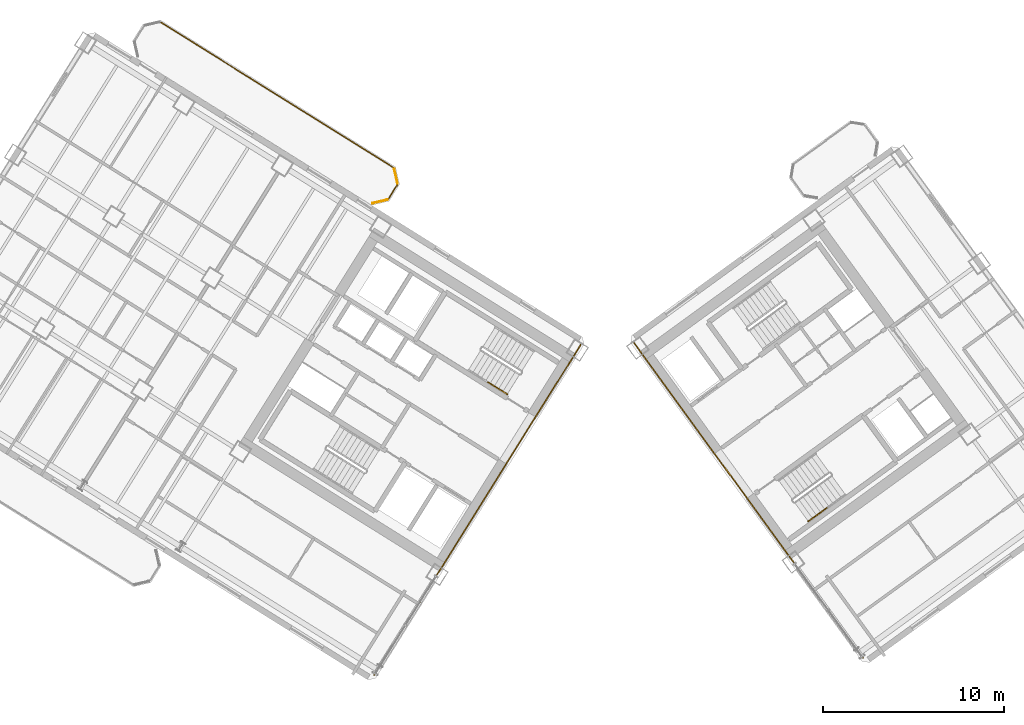
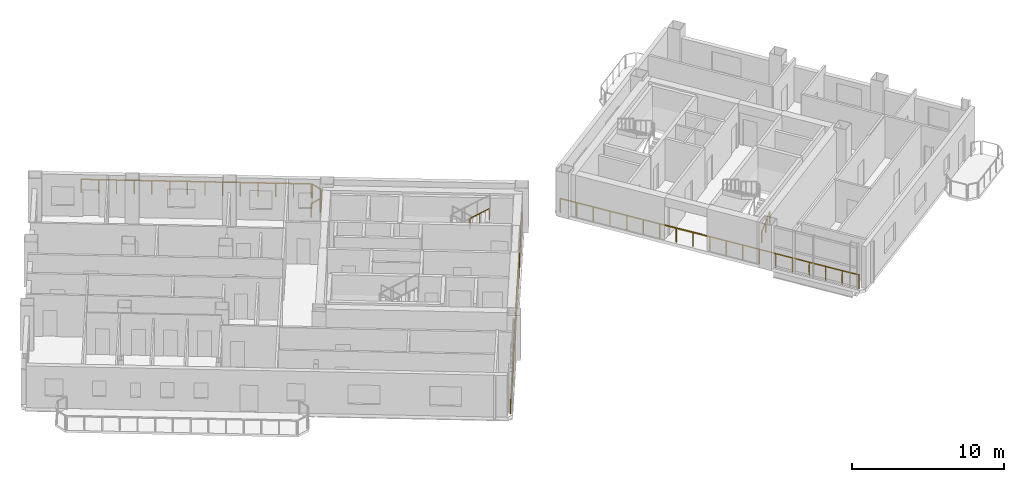
# One storey, part 16 of 18: 8 railings.
"""IFC4 building model written with IfcOpenShell, lengths in metres."""

from ifc_helpers import new_model, si_unit, direction, frame, origin, origin_2d, place, context, subcontext, project, spatial, rectangle, extrude, source, transform, mapped, material, type_object, element, save


model = new_model("IFC4")

# Units and contexts
model_context = context("Model", 3, precision=1e-05, world=origin(), true_north=direction((0.0, 1.0)))
body_context = subcontext(model_context, "Body", "Model", "MODEL_VIEW")
ifc_project = project(units=[si_unit("LENGTHUNIT", "METRE"), si_unit("AREAUNIT", "SQUARE_METRE"), si_unit("VOLUMEUNIT", "CUBIC_METRE"), si_unit("PLANEANGLEUNIT", "RADIAN"), si_unit("MASSUNIT", "GRAM", prefix="KILO")], contexts=[model_context])

# Site, building, storey
site_placement = place(None, origin())
site = spatial("IfcSite", under=ifc_project, at=site_placement, CompositionType="ELEMENT")
building_placement = place(site_placement, origin())
building = spatial("IfcBuilding", under=site, at=building_placement, Name="Tlacorven Tower", CompositionType="ELEMENT")
storey_placement = place(building_placement, frame((0.0, 0.0, 140.699951171875)))
storey = spatial("IfcBuildingStorey", under=building, at=storey_placement, Name="L35", CompositionType="ELEMENT", Elevation=140.699951171875)

# Railings
ifc_material = material(Name="Aluminium and painted steel balustrade", Category="steel")
railing_type_1 = type_object("IfcRailingType", Name="RL-BAL-1100", PredefinedType="BALUSTRADE", material=ifc_material)
shared_shape_1 = source(origin(), body_context, "Body", "SweptSolid", [
    extrude(rectangle(XDim=0.048095703125, YDim=0.048095703125, at=origin_2d()), frame((0.0, 0.0, 1.076171875), z_axis=(0.225058334816, -0.974345290916, 0.0), x_axis=(0.974345290916, 0.225058334816, 0.0)), (0.0, 0.0, 1.0), 0.80712890625),
    extrude(rectangle(XDim=0.0419921875, YDim=0.0419921875, at=origin_2d()), origin(), (0.0, 0.0, 1.0), 1.052001953125),
    extrude(rectangle(XDim=0.0419921875, YDim=0.0419921875, at=origin_2d()), frame((0.181640625, -0.786376953125, 0.0)), (0.0, 0.0, 1.0), 1.052001953125),
])
railing_1_placement = place(storey_placement, frame((30.6796875, 34.466064453125, 0.0)))
element("IfcRailing", 1, at=railing_1_placement, inside=storey, type_object=railing_type_1, Name="BAL-L35-W-IN Guard Railing 1", PredefinedType="BALUSTRADE", context=body_context, shape_type="MappedRepresentation", body=[
    mapped(shared_shape_1, transform((0.0, 0.0, 0.0), scale=1.0)),
])
shared_shape_2 = source(origin(), body_context, "Body", "SweptSolid", [
    extrude(rectangle(XDim=0.048095703125, YDim=0.048095703125, at=origin_2d()), frame((0.0, 0.0, 1.076171875), z_axis=(-0.52987865805, -0.848073468364, 0.0), x_axis=(0.848073468364, -0.52987865805, 0.0)), (0.0, 0.0, 1.0), 0.912353515625),
    extrude(rectangle(XDim=0.0419921875, YDim=0.0419921875, at=origin_2d()), origin(), (0.0, 0.0, 1.0), 1.052001953125),
    extrude(rectangle(XDim=0.0419921875, YDim=0.0419921875, at=origin_2d()), frame((-0.4833984375, -0.773681640625, 0.0)), (0.0, 0.0, 1.0), 1.052001953125),
])
railing_2_placement = place(storey_placement, frame((30.845947265625, 33.588623046875, 0.0)))
element("IfcRailing", 2, at=railing_2_placement, inside=storey, type_object=railing_type_1, Name="BAL-L35-W-IN Guard Railing 2", PredefinedType="BALUSTRADE", context=body_context, shape_type="MappedRepresentation", body=[
    mapped(shared_shape_2, transform((0.0, 0.0, 0.0), scale=1.0)),
])
shared_shape_3 = source(origin(), body_context, "Body", "SweptSolid", [
    extrude(rectangle(XDim=0.048095703125, YDim=0.048095703125, at=origin_2d()), frame((0.0, 0.0, 1.076171875), z_axis=(-0.974345290916, -0.225058334816, 0.0), x_axis=(0.225058334816, -0.974345290916, 0.0)), (0.0, 0.0, 1.0), 0.80712890625),
    extrude(rectangle(XDim=0.0419921875, YDim=0.0419921875, at=origin_2d()), origin(), (0.0, 0.0, 1.0), 1.052001953125),
    extrude(rectangle(XDim=0.0419921875, YDim=0.0419921875, at=origin_2d()), frame((-0.786376953125, -0.181640625, 0.0)), (0.0, 0.0, 1.0), 1.052001953125),
])
railing_3_placement = place(storey_placement, frame((30.287353515625, 32.761474609375, 0.0)))
element("IfcRailing", 3, at=railing_3_placement, inside=storey, type_object=railing_type_1, Name="BAL-L35-W-IN Guard Railing 3", PredefinedType="BALUSTRADE", context=body_context, shape_type="MappedRepresentation", body=[
    mapped(shared_shape_3, transform((0.0, 0.0, 0.0), scale=1.0)),
])
shared_shape_4 = source(origin(), body_context, "Body", "SweptSolid", [
    extrude(rectangle(XDim=0.048095703125, YDim=0.048095703125, at=origin_2d()), frame((0.0, 0.0, 1.076171875), z_axis=(0.848044572804, -0.529924902733, 0.0), x_axis=(0.529924902733, 0.848044572804, 0.0)), (0.0, 0.0, 1.0), 15.1171875),
    extrude(rectangle(XDim=0.0419921875, YDim=0.0419921875, at=origin_2d()), origin(), (0.0, 0.0, 1.0), 1.052001953125),
    extrude(rectangle(XDim=0.0419921875, YDim=0.0419921875, at=origin_2d()), frame((0.986083984375, -0.6162109375, 0.0)), (0.0, 0.0, 1.0), 1.052001953125),
    extrude(rectangle(XDim=0.0419921875, YDim=0.0419921875, at=origin_2d()), frame((1.972412109375, -1.232421875, 0.0)), (0.0, 0.0, 1.0), 1.052001953125),
    extrude(rectangle(XDim=0.0419921875, YDim=0.0419921875, at=origin_2d()), frame((2.95849609375, -1.8486328125, 0.0)), (0.0, 0.0, 1.0), 1.052001953125),
    extrude(rectangle(XDim=0.0419921875, YDim=0.0419921875, at=origin_2d()), frame((3.944580078125, -2.46484375, 0.0)), (0.0, 0.0, 1.0), 1.052001953125),
    extrude(rectangle(XDim=0.0419921875, YDim=0.0419921875, at=origin_2d()), frame((4.930908203125, -3.0810546875, 0.0)), (0.0, 0.0, 1.0), 1.052001953125),
    extrude(rectangle(XDim=0.0419921875, YDim=0.0419921875, at=origin_2d()), frame((5.9169921875, -3.697265625, 0.0)), (0.0, 0.0, 1.0), 1.052001953125),
    extrude(rectangle(XDim=0.0419921875, YDim=0.0419921875, at=origin_2d()), frame((6.903076171875, -4.313720703125, 0.0)), (0.0, 0.0, 1.0), 1.052001953125),
    extrude(rectangle(XDim=0.0419921875, YDim=0.0419921875, at=origin_2d()), frame((7.88916015625, -4.929931640625, 0.0)), (0.0, 0.0, 1.0), 1.052001953125),
    extrude(rectangle(XDim=0.0419921875, YDim=0.0419921875, at=origin_2d()), frame((8.87548828125, -5.546142578125, 0.0)), (0.0, 0.0, 1.0), 1.052001953125),
    extrude(rectangle(XDim=0.0419921875, YDim=0.0419921875, at=origin_2d()), frame((9.861572265625, -6.162353515625, 0.0)), (0.0, 0.0, 1.0), 1.052001953125),
    extrude(rectangle(XDim=0.0419921875, YDim=0.0419921875, at=origin_2d()), frame((10.84765625, -6.778564453125, 0.0)), (0.0, 0.0, 1.0), 1.052001953125),
    extrude(rectangle(XDim=0.0419921875, YDim=0.0419921875, at=origin_2d()), frame((11.833984375, -7.394775390625, 0.0)), (0.0, 0.0, 1.0), 1.052001953125),
    extrude(rectangle(XDim=0.0419921875, YDim=0.0419921875, at=origin_2d()), frame((12.820068359375, -8.010986328125, 0.0)), (0.0, 0.0, 1.0), 1.052001953125),
])
railing_4_placement = place(storey_placement, frame((17.805908203125, 42.55224609375, 0.0)))
element("IfcRailing", 4, at=railing_4_placement, inside=storey, type_object=railing_type_1, Name="BAL-L35-W-IN Guard Railing 7", PredefinedType="BALUSTRADE", context=body_context, shape_type="MappedRepresentation", body=[
    mapped(shared_shape_4, transform((0.0, 0.0, 0.0), scale=1.0)),
])
railing_type_2 = type_object("IfcRailingType", Name="RL-GRD-1150", PredefinedType="GUARDRAIL", material=ifc_material)
shared_shape_5 = source(origin(), body_context, "Body", "SweptSolid", [
    extrude(rectangle(XDim=0.048095703125, YDim=0.048095703125, at=origin_2d()), frame((0.0, 0.0, 1.1259765625), z_axis=(-0.529922340282, -0.84804617402, 0.0), x_axis=(0.84804617402, -0.529922340282, 0.0)), (0.0, 0.0, 1.0), 21.487548828125),
    extrude(rectangle(XDim=0.0419921875, YDim=0.0419921875, at=origin_2d()), origin(), (0.0, 0.0, 1.0), 1.101806640625),
    extrude(rectangle(XDim=0.0419921875, YDim=0.0419921875, at=origin_2d()), frame((-0.632568359375, -1.012451171875, 0.0)), (0.0, 0.0, 1.0), 1.101806640625),
    extrude(rectangle(XDim=0.0419921875, YDim=0.0419921875, at=origin_2d()), frame((-1.26513671875, -2.024658203125, 0.0)), (0.0, 0.0, 1.0), 1.101806640625),
    extrude(rectangle(XDim=0.0419921875, YDim=0.0419921875, at=origin_2d()), frame((-1.897705078125, -3.037109375, 0.0)), (0.0, 0.0, 1.0), 1.101806640625),
    extrude(rectangle(XDim=0.0419921875, YDim=0.0419921875, at=origin_2d()), frame((-2.5302734375, -4.04931640625, 0.0)), (0.0, 0.0, 1.0), 1.101806640625),
    extrude(rectangle(XDim=0.0419921875, YDim=0.0419921875, at=origin_2d()), frame((-3.1630859375, -5.061767578125, 0.0)), (0.0, 0.0, 1.0), 1.101806640625),
    extrude(rectangle(XDim=0.0419921875, YDim=0.0419921875, at=origin_2d()), frame((-3.795654296875, -6.07421875, 0.0)), (0.0, 0.0, 1.0), 1.101806640625),
    extrude(rectangle(XDim=0.0419921875, YDim=0.0419921875, at=origin_2d()), frame((-4.42822265625, -7.08642578125, 0.0)), (0.0, 0.0, 1.0), 1.101806640625),
    extrude(rectangle(XDim=0.0419921875, YDim=0.0419921875, at=origin_2d()), frame((-5.060791015625, -8.098876953125, 0.0)), (0.0, 0.0, 1.0), 1.101806640625),
    extrude(rectangle(XDim=0.0419921875, YDim=0.0419921875, at=origin_2d()), frame((-5.693359375, -9.111328125, 0.0)), (0.0, 0.0, 1.0), 1.101806640625),
    extrude(rectangle(XDim=0.0419921875, YDim=0.0419921875, at=origin_2d()), frame((-6.325927734375, -10.12353515625, 0.0)), (0.0, 0.0, 1.0), 1.101806640625),
    extrude(rectangle(XDim=0.0419921875, YDim=0.0419921875, at=origin_2d()), frame((-6.95849609375, -11.135986328125, 0.0)), (0.0, 0.0, 1.0), 1.101806640625),
    extrude(rectangle(XDim=0.0419921875, YDim=0.0419921875, at=origin_2d()), frame((-7.591064453125, -12.148193359375, 0.0)), (0.0, 0.0, 1.0), 1.101806640625),
    extrude(rectangle(XDim=0.0419921875, YDim=0.0419921875, at=origin_2d()), frame((-8.2236328125, -13.16064453125, 0.0)), (0.0, 0.0, 1.0), 1.101806640625),
    extrude(rectangle(XDim=0.0419921875, YDim=0.0419921875, at=origin_2d()), frame((-8.8564453125, -14.173095703125, 0.0)), (0.0, 0.0, 1.0), 1.101806640625),
    extrude(rectangle(XDim=0.0419921875, YDim=0.0419921875, at=origin_2d()), frame((-9.489013671875, -15.185302734375, 0.0)), (0.0, 0.0, 1.0), 1.101806640625),
    extrude(rectangle(XDim=0.0419921875, YDim=0.0419921875, at=origin_2d()), frame((-10.12158203125, -16.19775390625, 0.0)), (0.0, 0.0, 1.0), 1.101806640625),
    extrude(rectangle(XDim=0.0419921875, YDim=0.0419921875, at=origin_2d()), frame((-10.754150390625, -17.2099609375, 0.0)), (0.0, 0.0, 1.0), 1.101806640625),
    extrude(rectangle(XDim=0.0419921875, YDim=0.0419921875, at=origin_2d()), frame((-11.38671875, -18.222412109375, 0.0)), (0.0, 0.0, 1.0), 1.101806640625),
])
railing_5_placement = place(storey_placement, frame((40.965087890625, 24.760009765625, 0.0)))
element("IfcRailing", 5, at=railing_5_placement, inside=storey, type_object=railing_type_2, Name="L35 Void-Portal Atrium Guard 1", PredefinedType="GUARDRAIL", context=body_context, shape_type="MappedRepresentation", body=[
    mapped(shared_shape_5, transform((0.0, 0.0, 0.0), scale=1.0)),
])
shared_shape_6 = source(origin(), body_context, "Body", "SweptSolid", [
    extrude(rectangle(XDim=0.048095703125, YDim=0.048095703125, at=origin_2d()), frame((0.0, 0.0, 1.1259765625), z_axis=(-0.587792632144, 0.809011632547, 0.0), x_axis=(-0.809011632547, -0.587792632144, 0.0)), (0.0, 0.0, 1.0), 21.4873046875),
    extrude(rectangle(XDim=0.0419921875, YDim=0.0419921875, at=origin_2d()), origin(), (0.0, 0.0, 1.0), 1.101806640625),
    extrude(rectangle(XDim=0.0419921875, YDim=0.0419921875, at=origin_2d()), frame((-0.70166015625, 0.9658203125, 0.0)), (0.0, 0.0, 1.0), 1.101806640625),
    extrude(rectangle(XDim=0.0419921875, YDim=0.0419921875, at=origin_2d()), frame((-1.4033203125, 1.931396484375, 0.0)), (0.0, 0.0, 1.0), 1.101806640625),
    extrude(rectangle(XDim=0.0419921875, YDim=0.0419921875, at=origin_2d()), frame((-2.10498046875, 2.897216796875, 0.0)), (0.0, 0.0, 1.0), 1.101806640625),
    extrude(rectangle(XDim=0.0419921875, YDim=0.0419921875, at=origin_2d()), frame((-2.806640625, 3.863037109375, 0.0)), (0.0, 0.0, 1.0), 1.101806640625),
    extrude(rectangle(XDim=0.0419921875, YDim=0.0419921875, at=origin_2d()), frame((-3.50830078125, 4.828857421875, 0.0)), (0.0, 0.0, 1.0), 1.101806640625),
    extrude(rectangle(XDim=0.0419921875, YDim=0.0419921875, at=origin_2d()), frame((-4.2099609375, 5.79443359375, 0.0)), (0.0, 0.0, 1.0), 1.101806640625),
    extrude(rectangle(XDim=0.0419921875, YDim=0.0419921875, at=origin_2d()), frame((-4.91162109375, 6.76025390625, 0.0)), (0.0, 0.0, 1.0), 1.101806640625),
    extrude(rectangle(XDim=0.0419921875, YDim=0.0419921875, at=origin_2d()), frame((-5.61328125, 7.72607421875, 0.0)), (0.0, 0.0, 1.0), 1.101806640625),
    extrude(rectangle(XDim=0.0419921875, YDim=0.0419921875, at=origin_2d()), frame((-6.31494140625, 8.69189453125, 0.0)), (0.0, 0.0, 1.0), 1.101806640625),
    extrude(rectangle(XDim=0.0419921875, YDim=0.0419921875, at=origin_2d()), frame((-7.016845703125, 9.657470703125, 0.0)), (0.0, 0.0, 1.0), 1.101806640625),
    extrude(rectangle(XDim=0.0419921875, YDim=0.0419921875, at=origin_2d()), frame((-7.718505859375, 10.623291015625, 0.0)), (0.0, 0.0, 1.0), 1.101806640625),
    extrude(rectangle(XDim=0.0419921875, YDim=0.0419921875, at=origin_2d()), frame((-8.420166015625, 11.589111328125, 0.0)), (0.0, 0.0, 1.0), 1.101806640625),
    extrude(rectangle(XDim=0.0419921875, YDim=0.0419921875, at=origin_2d()), frame((-9.121826171875, 12.5546875, 0.0)), (0.0, 0.0, 1.0), 1.101806640625),
    extrude(rectangle(XDim=0.0419921875, YDim=0.0419921875, at=origin_2d()), frame((-9.823486328125, 13.5205078125, 0.0)), (0.0, 0.0, 1.0), 1.101806640625),
    extrude(rectangle(XDim=0.0419921875, YDim=0.0419921875, at=origin_2d()), frame((-10.525146484375, 14.486328125, 0.0)), (0.0, 0.0, 1.0), 1.101806640625),
    extrude(rectangle(XDim=0.0419921875, YDim=0.0419921875, at=origin_2d()), frame((-11.226806640625, 15.4521484375, 0.0)), (0.0, 0.0, 1.0), 1.101806640625),
    extrude(rectangle(XDim=0.0419921875, YDim=0.0419921875, at=origin_2d()), frame((-11.928466796875, 16.417724609375, 0.0)), (0.0, 0.0, 1.0), 1.101806640625),
    extrude(rectangle(XDim=0.0419921875, YDim=0.0419921875, at=origin_2d()), frame((-12.630126953125, 17.383544921875, 0.0)), (0.0, 0.0, 1.0), 1.101806640625),
])
railing_6_placement = place(storey_placement, frame((56.5517578125, 7.4794921875, 0.0)))
element("IfcRailing", 6, at=railing_6_placement, inside=storey, type_object=railing_type_2, Name="L35 Void-Portal Atrium Guard 1", PredefinedType="GUARDRAIL", context=body_context, shape_type="MappedRepresentation", body=[
    mapped(shared_shape_6, transform((0.0, 0.0, 0.0), scale=1.0)),
])
railing_type_3 = type_object("IfcRailingType", Name="RL-HND-0900", PredefinedType="HANDRAIL", material=ifc_material)
shared_shape_7 = source(origin(), body_context, "Body", "SweptSolid", [
    extrude(rectangle(XDim=0.048095703125, YDim=0.048095703125, at=origin_2d()), frame((0.0, 0.0, 0.8759765625), z_axis=(0.713359751793, -0.4457479829, 0.540764828981), x_axis=(0.529911857636, 0.848052724267, 0.0)), (0.0, 0.0, 1.0), 1.498046875),
    extrude(rectangle(XDim=0.0419921875, YDim=0.0419921875, at=origin_2d()), origin(), (0.0, 0.0, 1.0), 0.851806640625),
    extrude(rectangle(XDim=0.0419921875, YDim=0.0419921875, at=origin_2d()), frame((0.5341796875, -0.333984375, 0.405029296875)), (0.0, 0.0, 1.0), 0.851806640625),
    extrude(rectangle(XDim=0.0419921875, YDim=0.0419921875, at=origin_2d()), frame((1.068603515625, -0.667724609375, 0.81005859375)), (0.0, 0.0, 1.0), 0.851806640625),
])
railing_7_placement = place(storey_placement, frame((35.848876953125, 22.705078125, 2.7900390625)))
element("IfcRailing", 7, at=railing_7_placement, inside=storey, type_object=railing_type_3, Name="L35 ST-W2 stair handrail 4", PredefinedType="HANDRAIL", context=body_context, shape_type="MappedRepresentation", body=[
    mapped(shared_shape_7, transform((0.0, 0.0, 0.0), scale=1.0)),
])
shared_shape_8 = source(origin(), body_context, "Body", "SweptSolid", [
    extrude(rectangle(XDim=0.048095703125, YDim=0.048095703125, at=origin_2d()), frame((0.0, 0.0, 0.8759765625), z_axis=(0.680461216233, 0.494495647917, 0.540783309093), x_axis=(-0.587872112667, 0.808953879494, 0.0)), (0.0, 0.0, 1.0), 1.498046875),
    extrude(rectangle(XDim=0.0419921875, YDim=0.0419921875, at=origin_2d()), origin(), (0.0, 0.0, 1.0), 0.851806640625),
    extrude(rectangle(XDim=0.0419921875, YDim=0.0419921875, at=origin_2d()), frame((0.509765625, 0.370361328125, 0.405029296875)), (0.0, 0.0, 1.0), 0.851806640625),
    extrude(rectangle(XDim=0.0419921875, YDim=0.0419921875, at=origin_2d()), frame((1.019287109375, 0.74072265625, 0.81005859375)), (0.0, 0.0, 1.0), 0.851806640625),
])
railing_8_placement = place(storey_placement, frame((53.53369140625, 15.01904296875, 0.179931640625)))
element("IfcRailing", 8, at=railing_8_placement, inside=storey, type_object=railing_type_3, Name="L35 ST-E2 stair handrail 1", PredefinedType="HANDRAIL", context=body_context, shape_type="MappedRepresentation", body=[
    mapped(shared_shape_8, transform((0.0, 0.0, 0.0), scale=1.0)),
])

save(model, "model.ifc")
